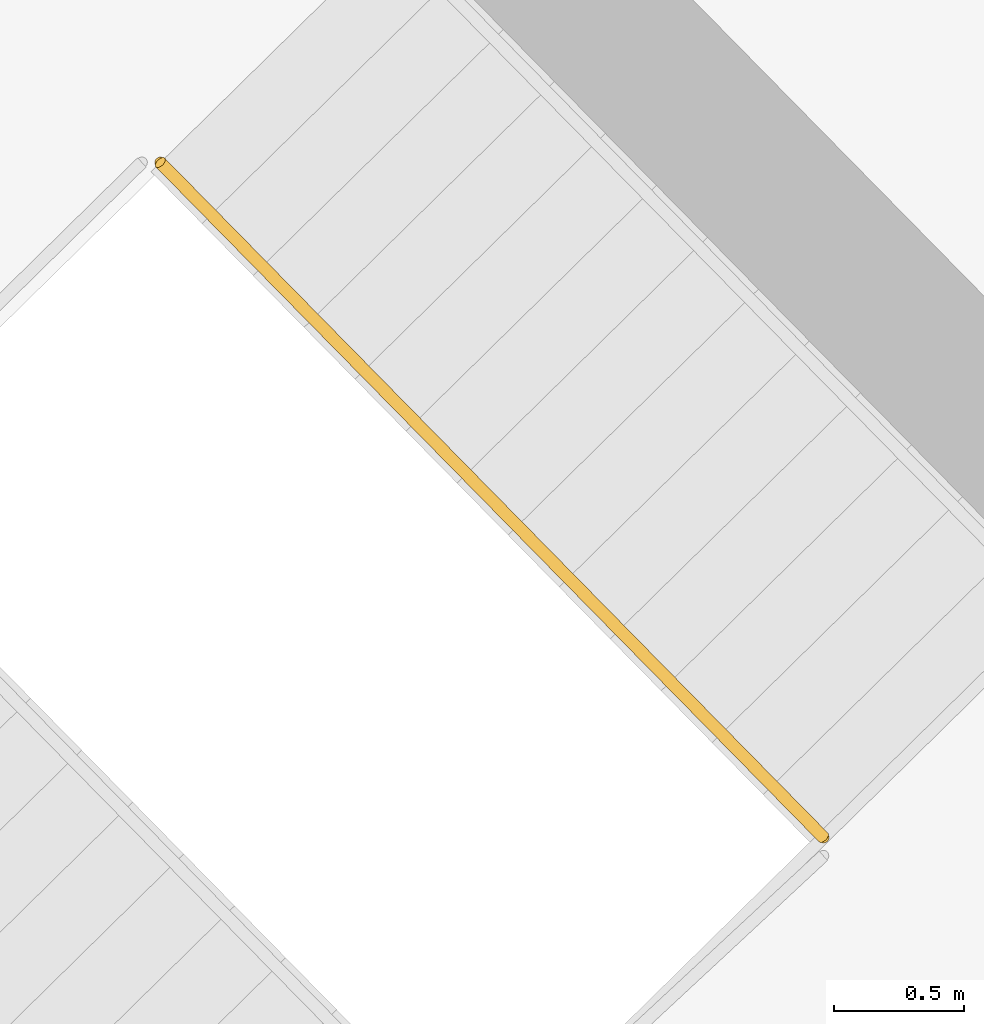
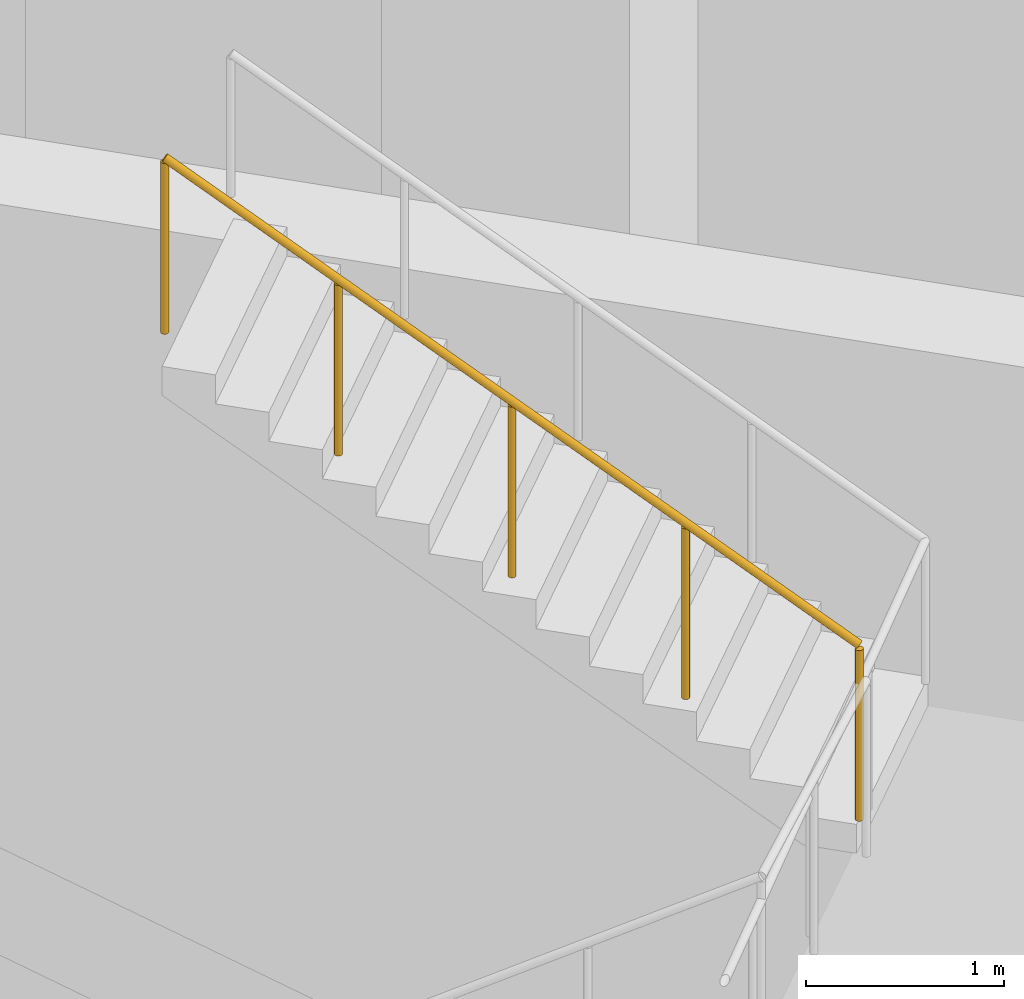
# One storey, part 10 of 10: 1 railing.
"""IFC4 building model written with IfcOpenShell, lengths in metres."""

import ifcopenshell
import ifcopenshell.guid

model = None  # the IFC model being written
_history = None  # IfcOwnerHistory: only IFC2X3 demands one
_inside = {}  # id of a spatial element -> (the spatial element, [elements in it])
_under = {}  # id of a project, library or spatial element -> (it, [spatial elements below it])
_declared = {}  # id of a project -> (the project, [libraries it declares])
_typed = {}  # id of a type object -> (the type object, [elements of that type])
_made_of = {}  # id of a material, layer set ... -> (it, [elements and type objects made of it])


def new_model(schema):
    """Start an empty IFC model of exactly this schema.

    Asked for "IFC4X3", IfcOpenShell would pick the latest addendum, in which some entities
    have other attributes; the version numbers below select the first issue.
    IFC2X3 requires an IfcOwnerHistory on every rooted entity: one is made here for all.
    """
    global model, _history
    if schema == "IFC4X3":
        model = ifcopenshell.file(schema_version=(4, 3, 0, 0))
    else:
        model = ifcopenshell.file(schema=schema)
    _inside.clear()
    _under.clear()
    _declared.clear()
    _typed.clear()
    _made_of.clear()
    _history = None
    if model.schema == "IFC2X3":
        org = make("IfcOrganization", Name="unknown")
        user = make(
            "IfcPersonAndOrganization",
            ThePerson=make("IfcPerson", FamilyName="unknown"),
            TheOrganization=org,
        )
        app = make(
            "IfcApplication",
            ApplicationDeveloper=org,
            Version="unknown",
            ApplicationFullName="unknown",
            ApplicationIdentifier="unknown",
        )
        _history = make(
            "IfcOwnerHistory",
            OwningUser=user,
            OwningApplication=app,
            ChangeAction="ADDED",
            CreationDate=0,
        )
    return model


def make(cls, **values):
    """One entity of the class cls with the attributes given. An attribute that is None is left unset."""
    return model.create_entity(
        cls, **{name: value for name, value in values.items() if value is not None}
    )


def rooted(cls, **values):
    """An entity with a GlobalId (a new one), such as an element, a storey or a relation."""
    return make(cls, GlobalId=ifcopenshell.guid.new(), OwnerHistory=_history, **values)


def si_unit(unit_type, name, prefix=None):
    """IfcSIUnit, for example si_unit("LENGTHUNIT", "METRE", prefix="MILLI")."""
    return make("IfcSIUnit", UnitType=unit_type, Prefix=prefix, Name=name)


def assignment(units):
    """IfcUnitAssignment: the units of a project."""
    return None if units is None else make("IfcUnitAssignment", Units=units)


def point(xyz):
    """IfcCartesianPoint."""
    return None if xyz is None else make("IfcCartesianPoint", Coordinates=xyz)


def direction(xyz):
    """IfcDirection."""
    return None if xyz is None else make("IfcDirection", DirectionRatios=xyz)


def frame(location, z_axis=None, x_axis=None):
    """IfcAxis2Placement3D, a coordinate frame: its origin and axes. An axis left out is left unset."""
    return make(
        "IfcAxis2Placement3D",
        Location=point(location),
        Axis=direction(z_axis),
        RefDirection=direction(x_axis),
    )


def frame_2d(location, x_axis=None):
    """IfcAxis2Placement2D, a coordinate frame in the plane: its origin and x axis."""
    return make(
        "IfcAxis2Placement2D", Location=point(location), RefDirection=direction(x_axis)
    )


def origin():
    """The frame at (0, 0, 0) with its axes left unset."""
    return frame((0.0, 0.0, 0.0))


def origin_2d():
    """The frame at (0, 0) in the plane with its x axis left unset."""
    return frame_2d((0.0, 0.0))


def place(relative_to, where):
    """IfcLocalPlacement: puts the frame where relative to a parent placement (None: the world)."""
    return make(
        "IfcLocalPlacement", PlacementRelTo=relative_to, RelativePlacement=where
    )


def context(
    kind, dimensions, precision=None, world=None, true_north=None, identifier=None
):
    """IfcGeometricRepresentationContext, for example the 3D "Model" context."""
    return make(
        "IfcGeometricRepresentationContext",
        ContextIdentifier=identifier,
        ContextType=kind,
        CoordinateSpaceDimension=dimensions,
        Precision=precision,
        WorldCoordinateSystem=world,
        TrueNorth=true_north,
    )


def subcontext(parent, identifier, kind, view, scale=None):
    """IfcGeometricRepresentationSubContext, for example "Body" below "Model"."""
    return make(
        "IfcGeometricRepresentationSubContext",
        ContextIdentifier=identifier,
        ContextType=kind,
        ParentContext=parent,
        TargetScale=scale,
        TargetView=view,
    )


def project(units=None, contexts=None):
    """IfcProject with its units and contexts."""
    return rooted(
        "IfcProject",
        Name="project",
        RepresentationContexts=contexts,
        UnitsInContext=assignment(units),
    )


def spatial(cls, under=None, at=None, **own):
    """A site, building, storey or space (cls), placed at a placement, below another one or the project."""
    s = rooted(cls, ObjectPlacement=at, **own)
    if under is not None:
        _under.setdefault(under.id(), (under, []))[1].append(s)
    return s


def profile(cls, at=None, kind="AREA", **sizes):
    """A parametric profile (cls). Its sizes go by their IFC names, for example OverallWidth=200.0."""
    return make(cls, ProfileType=kind, Position=at, **sizes)


def circle(**sizes):
    """IfcCircleProfileDef."""
    return profile("IfcCircleProfileDef", **sizes)


def extrude(swept, where, along, depth):
    """IfcExtrudedAreaSolid: the profile swept, set in the frame where, extruded along a direction by depth."""
    return make(
        "IfcExtrudedAreaSolid",
        SweptArea=swept,
        Position=where,
        ExtrudedDirection=direction(along),
        Depth=depth,
    )


def shape(context_of_items, identifier, shape_type, items):
    """IfcShapeRepresentation: the items that make up one representation, for example the "Body"."""
    return make(
        "IfcShapeRepresentation",
        ContextOfItems=context_of_items,
        RepresentationIdentifier=identifier,
        RepresentationType=shape_type,
        Items=items,
    )


def material(Name=None, Category=None):
    """IfcMaterial."""
    return make("IfcMaterial", Name=Name, Category=Category)


def made_of(thing, what):
    """Note that an element or type object is made of a material, layer set ...; save() writes the relation."""
    if what is not None:
        _made_of.setdefault(what.id(), (what, []))[1].append(thing)
    return thing


def type_object(cls, material=None, **own):
    """A type object (cls), such as IfcWallType, which elements share."""
    return made_of(rooted(cls, **own), material)


def element(
    cls,
    number,
    at=None,
    inside=None,
    cuts=None,
    type_object=None,
    material=None,
    context=None,
    identifier="Body",
    shape_type=None,
    held_by="IfcProductDefinitionShape",
    body=None,
    shapes=None,
    **own,
):
    """One element of the class cls, such as IfcWall. Its Tag is "e" and its number.

    at: its placement. inside: the storey or other place that contains it. cuts: it is an
    opening in that element (IfcRelVoidsElement). A single representation is given by context,
    identifier, shape_type and body (its items); several are given by shapes. held_by: the class
    of the entity that holds the representations. save() writes the other relations.
    """
    e = rooted(cls, Tag="e%d" % number, ObjectPlacement=at, **own)
    if body is not None:
        shapes = [shape(context, identifier, shape_type, body)]
    if shapes is not None:
        e.Representation = make(held_by, Representations=shapes)
    if inside is not None:
        _inside.setdefault(inside.id(), (inside, []))[1].append(e)
    if cuts is not None:
        rooted(
            "IfcRelVoidsElement", RelatingBuildingElement=cuts, RelatedOpeningElement=e
        )
    if type_object is not None:
        _typed.setdefault(type_object.id(), (type_object, []))[1].append(e)
    return made_of(e, material)


def aggregate(whole, parts):
    """IfcRelAggregates: a whole, such as a stair, and the parts it consists of."""
    return rooted("IfcRelAggregates", RelatingObject=whole, RelatedObjects=parts)


def save(model, path):
    """Write the relations noted so far, then the file.

    IfcRelAggregates (storeys below a building ...), IfcRelContainedInSpatialStructure (elements
    in a storey), IfcRelDefinesByType, IfcRelAssociatesMaterial and IfcRelDeclares: one each for
    every whole, place, type object, material and project.
    """
    for whole, parts in _under.values():
        aggregate(whole, parts)
    for where, things in _inside.values():
        rooted(
            "IfcRelContainedInSpatialStructure",
            RelatedElements=things,
            RelatingStructure=where,
        )
    for kind, things in _typed.values():
        rooted("IfcRelDefinesByType", RelatedObjects=things, RelatingType=kind)
    for what, things in _made_of.values():
        rooted("IfcRelAssociatesMaterial", RelatedObjects=things, RelatingMaterial=what)
    for by, libraries in _declared.values():
        rooted("IfcRelDeclares", RelatingContext=by, RelatedDefinitions=libraries)
    model.write(path)


model = new_model("IFC4")

# Units and contexts
model_context = context("Model", 3, precision=1e-05, world=origin(), true_north=direction((0.0, 1.0)))
body_context = subcontext(model_context, "Body", "Model", "MODEL_VIEW")
ifc_project = project(units=[si_unit("LENGTHUNIT", "METRE"), si_unit("AREAUNIT", "SQUARE_METRE"), si_unit("VOLUMEUNIT", "CUBIC_METRE"), si_unit("PLANEANGLEUNIT", "RADIAN"), si_unit("MASSUNIT", "GRAM", prefix="KILO")], contexts=[model_context])

# Site, building, storey
site_placement = place(None, origin())
site = spatial("IfcSite", under=ifc_project, at=site_placement, CompositionType="ELEMENT")
building_placement = place(site_placement, origin())
building = spatial("IfcBuilding", under=site, at=building_placement, Name="Binnacle Exchange Tower", CompositionType="ELEMENT")
storey_placement = place(building_placement, frame((0.0, 0.0, 81.5)))
storey = spatial("IfcBuildingStorey", under=building, at=storey_placement, Name="L16", CompositionType="ELEMENT", Elevation=81.5)

# Railing
ifc_material = material(Name="Steel guard rail", Category="steel")
railing_type = type_object("IfcRailingType", Name="STAIR GUARD 1100", PredefinedType="GUARDRAIL", material=ifc_material)
railing_placement = place(storey_placement, frame((44.693359375, 45.747314453125, 2.678466796875)))
element("IfcRailing", 1, at=railing_placement, inside=storey, type_object=railing_type, Name="L16 STB1 stair guard 2", PredefinedType="GUARDRAIL", context=body_context, shape_type="SweptSolid", body=[
    extrude(circle(Radius=0.02392578125, at=origin_2d()), frame((0.0, 0.0, 1.076171875), z_axis=(-0.590946962671, 0.60135215321, 0.537733461056), x_axis=(-0.713250539553, -0.700909172309, 0.0)), (0.0, 0.0, 1.0), 4.317138671875),
    extrude(circle(Radius=0.02099609375, at=origin_2d()), origin(), (0.0, 0.0, 1.0), 1.052001953125),
    extrude(circle(Radius=0.02099609375, at=origin_2d()), frame((-0.6376953125, 0.64892578125, 0.580322265625)), (0.0, 0.0, 1.0), 1.052001953125),
    extrude(circle(Radius=0.02099609375, at=origin_2d()), frame((-1.275634765625, 1.298095703125, 1.16064453125)), (0.0, 0.0, 1.0), 1.052001953125),
    extrude(circle(Radius=0.02099609375, at=origin_2d()), frame((-1.91357421875, 1.947265625, 1.7412109375)), (0.0, 0.0, 1.0), 1.052001953125),
    extrude(circle(Radius=0.02099609375, at=origin_2d()), frame((-2.55126953125, 2.59619140625, 2.321533203125)), (0.0, 0.0, 1.0), 1.052001953125),
])

save(model, "model.ifc")
